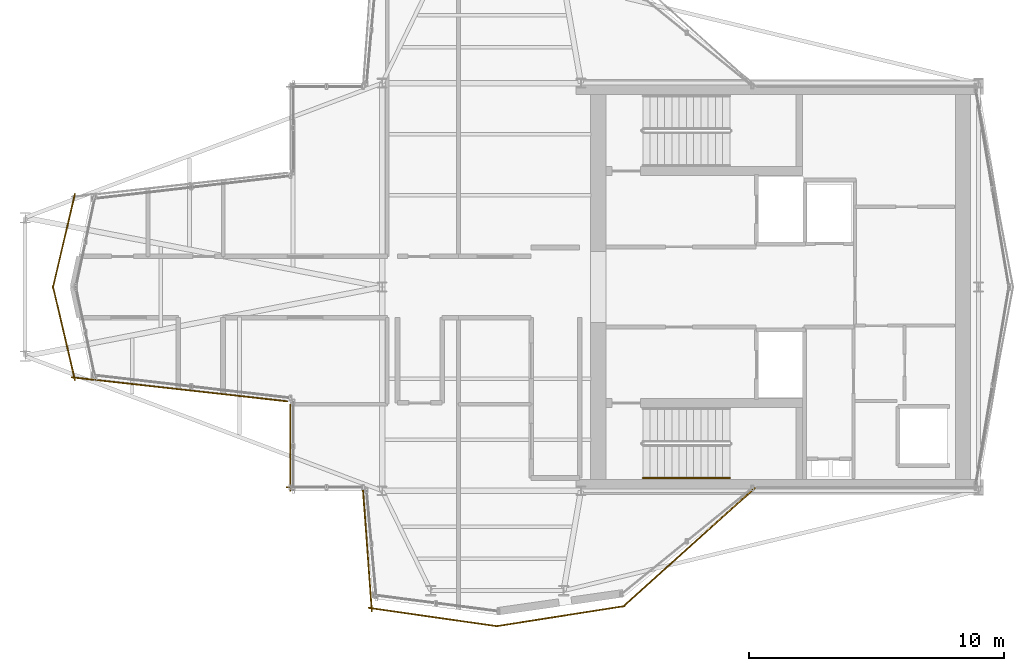
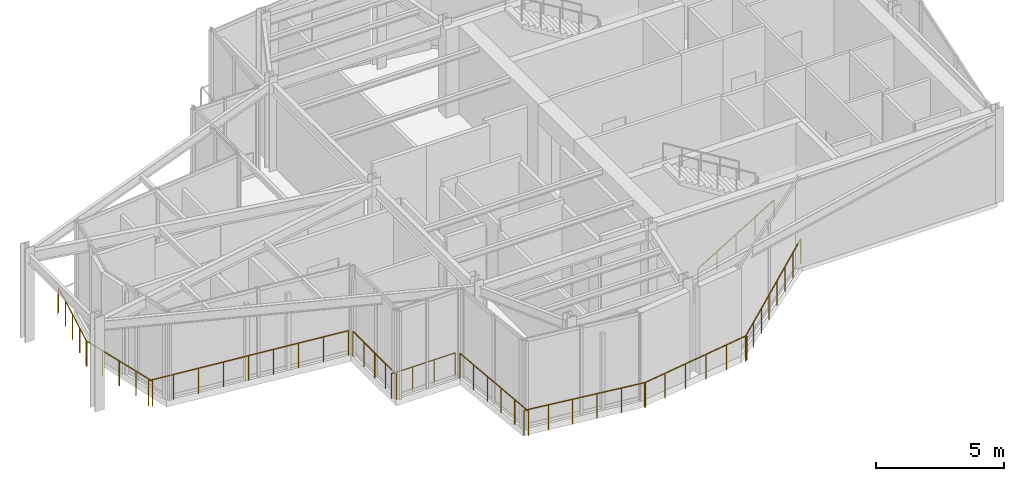
# One storey, part 10 of 14: 10 railings.
"""IFC4 building model written with IfcOpenShell, lengths in metres."""

from ifc_helpers import new_model, si_unit, direction, frame, origin, origin_2d, place, context, subcontext, project, spatial, circle, extrude, material, type_object, element, save


model = new_model("IFC4")

# Units and contexts
model_context = context("Model", 3, precision=1e-05, world=origin(), true_north=direction((0.0, 1.0)))
body_context = subcontext(model_context, "Body", "Model", "MODEL_VIEW")
ifc_project = project(units=[si_unit("LENGTHUNIT", "METRE"), si_unit("AREAUNIT", "SQUARE_METRE"), si_unit("VOLUMEUNIT", "CUBIC_METRE"), si_unit("PLANEANGLEUNIT", "RADIAN"), si_unit("MASSUNIT", "GRAM", prefix="KILO")], contexts=[model_context])

# Site, building, storey
site_placement = place(None, origin())
site = spatial("IfcSite", under=ifc_project, at=site_placement, CompositionType="ELEMENT")
building_placement = place(site_placement, origin())
building = spatial("IfcBuilding", under=site, at=building_placement, Name="Veymaron Broadcast Tower", CompositionType="ELEMENT")
storey_placement = place(building_placement, frame((0.0, 0.0, 332.39990234375)))
storey = spatial("IfcBuildingStorey", under=building, at=storey_placement, Name="L78", CompositionType="ELEMENT", Elevation=332.39990234375)

# Railings
ifc_material_1 = material(Name="Brushed stainless steel AISI 304", Category="steel")
railing_type_1 = type_object("IfcRailingType", Name="RAIL-STAIR-HR", PredefinedType="HANDRAIL", material=ifc_material_1)
railing_1_placement = place(storey_placement, frame((41.429931640625, 16.5, 0.173095703125)))
element("IfcRailing", 1, at=railing_1_placement, inside=storey, type_object=railing_type_1, Name="L78 ST2 stair handrail 1", PredefinedType="HANDRAIL", context=body_context, shape_type="SweptSolid", body=[
    extrude(circle(Radius=0.02392578125, at=origin_2d()), frame((0.0, 0.0, 0.8759765625), z_axis=(0.854745945586, 0.0, 0.519046595696), x_axis=(0.0, 1.0, 0.0)), (0.0, 0.0, 1.0), 4.00146484375),
    extrude(circle(Radius=0.02099609375, at=origin_2d()), origin(), (0.0, 0.0, 1.0), 0.851806640625),
    extrude(circle(Radius=0.02099609375, at=origin_2d()), frame((0.85498046875, 0.0, 0.519287109375)), (0.0, 0.0, 1.0), 0.851806640625),
    extrude(circle(Radius=0.02099609375, at=origin_2d()), frame((1.7099609375, 0.0, 1.03857421875)), (0.0, 0.0, 1.0), 0.851806640625),
    extrude(circle(Radius=0.02099609375, at=origin_2d()), frame((2.565185546875, 0.0, 1.5576171875)), (0.0, 0.0, 1.0), 0.851806640625),
    extrude(circle(Radius=0.02099609375, at=origin_2d()), frame((3.420166015625, 0.0, 2.076904296875)), (0.0, 0.0, 1.0), 0.851806640625),
])
ifc_material_2 = material(Name="Laminated structural sentry-glass and stainless steel AISI 316L", Category="steel")
railing_type_2 = type_object("IfcRailingType", Name="RAIL-TERR-1200", PredefinedType="GUARDRAIL", material=ifc_material_2)
railing_2_placement = place(storey_placement, frame((19.13623046875, 27.6533203125, 0.0)))
element("IfcRailing", 2, at=railing_2_placement, inside=storey, type_object=railing_type_2, Name="L78 crown perimeter guardrail 12", PredefinedType="GUARDRAIL", context=body_context, shape_type="SweptSolid", body=[
    extrude(circle(Radius=0.02392578125, at=origin_2d()), frame((0.0, 0.0, 1.17578125), z_axis=(-0.228259149092, -0.973600411286, 0.0), x_axis=(0.973600411286, -0.228259149092, 0.0)), (0.0, 0.0, 1.0), 3.78515625),
    extrude(circle(Radius=0.02099609375, at=origin_2d()), origin(), (0.0, 0.0, 1.0), 1.15185546875),
    extrude(circle(Radius=0.02099609375, at=origin_2d()), frame((-0.216064453125, -0.92138671875, 0.0)), (0.0, 0.0, 1.0), 1.15185546875),
    extrude(circle(Radius=0.02099609375, at=origin_2d()), frame((-0.43212890625, -1.8427734375, 0.0)), (0.0, 0.0, 1.0), 1.15185546875),
    extrude(circle(Radius=0.02099609375, at=origin_2d()), frame((-0.64794921875, -2.763916015625, 0.0)), (0.0, 0.0, 1.0), 1.15185546875),
    extrude(circle(Radius=0.02099609375, at=origin_2d()), frame((-0.864013671875, -3.685302734375, 0.0)), (0.0, 0.0, 1.0), 1.15185546875),
])
railing_3_placement = place(storey_placement, frame((18.272216796875, 24.031982421875, 0.0)))
element("IfcRailing", 3, at=railing_3_placement, inside=storey, type_object=railing_type_2, Name="L78 crown perimeter guardrail 13", PredefinedType="GUARDRAIL", context=body_context, shape_type="SweptSolid", body=[
    extrude(circle(Radius=0.02392578125, at=origin_2d()), frame((0.0, 0.0, 1.17578125), z_axis=(0.228259149092, -0.973600411286, 0.0), x_axis=(0.973600411286, 0.228259149092, 0.0)), (0.0, 0.0, 1.0), 3.78515625),
    extrude(circle(Radius=0.02099609375, at=origin_2d()), origin(), (0.0, 0.0, 1.0), 1.15185546875),
    extrude(circle(Radius=0.02099609375, at=origin_2d()), frame((0.216064453125, -0.92138671875, 0.0)), (0.0, 0.0, 1.0), 1.15185546875),
    extrude(circle(Radius=0.02099609375, at=origin_2d()), frame((0.43212890625, -1.8427734375, 0.0)), (0.0, 0.0, 1.0), 1.15185546875),
    extrude(circle(Radius=0.02099609375, at=origin_2d()), frame((0.64794921875, -2.763916015625, 0.0)), (0.0, 0.0, 1.0), 1.15185546875),
    extrude(circle(Radius=0.02099609375, at=origin_2d()), frame((0.864013671875, -3.685302734375, 0.0)), (0.0, 0.0, 1.0), 1.15185546875),
])
railing_4_placement = place(storey_placement, frame((19.015380859375, 20.45361328125, 0.0)))
element("IfcRailing", 4, at=railing_4_placement, inside=storey, type_object=railing_type_2, Name="L78 crown perimeter guardrail 14", PredefinedType="GUARDRAIL", context=body_context, shape_type="SweptSolid", body=[
    extrude(circle(Radius=0.02392578125, at=origin_2d()), frame((0.0, 0.0, 1.17578125), z_axis=(0.993854628338, -0.110693169309, 0.0), x_axis=(0.110693169309, 0.993854628338, 0.0)), (0.0, 0.0, 1.0), 8.500244140625),
    extrude(circle(Radius=0.02099609375, at=origin_2d()), origin(), (0.0, 0.0, 1.0), 1.15185546875),
    extrude(circle(Radius=0.02099609375, at=origin_2d()), frame((1.055908203125, -0.11767578125, 0.0)), (0.0, 0.0, 1.0), 1.15185546875),
    extrude(circle(Radius=0.02099609375, at=origin_2d()), frame((2.112060546875, -0.2353515625, 0.0)), (0.0, 0.0, 1.0), 1.15185546875),
    extrude(circle(Radius=0.02099609375, at=origin_2d()), frame((3.16796875, -0.352783203125, 0.0)), (0.0, 0.0, 1.0), 1.15185546875),
    extrude(circle(Radius=0.02099609375, at=origin_2d()), frame((4.22412109375, -0.470458984375, 0.0)), (0.0, 0.0, 1.0), 1.15185546875),
    extrude(circle(Radius=0.02099609375, at=origin_2d()), frame((5.280029296875, -0.588134765625, 0.0)), (0.0, 0.0, 1.0), 1.15185546875),
    extrude(circle(Radius=0.02099609375, at=origin_2d()), frame((6.3359375, -0.70556640625, 0.0)), (0.0, 0.0, 1.0), 1.15185546875),
    extrude(circle(Radius=0.02099609375, at=origin_2d()), frame((7.39208984375, -0.8232421875, 0.0)), (0.0, 0.0, 1.0), 1.15185546875),
    extrude(circle(Radius=0.02099609375, at=origin_2d()), frame((8.447998046875, -0.94091796875, 0.0)), (0.0, 0.0, 1.0), 1.15185546875),
])
railing_5_placement = place(storey_placement, frame((27.587890625, 19.37353515625, 0.0)))
element("IfcRailing", 5, at=railing_5_placement, inside=storey, type_object=railing_type_2, Name="L78 crown perimeter guardrail 15", PredefinedType="GUARDRAIL", context=body_context, shape_type="SweptSolid", body=[
    extrude(circle(Radius=0.02392578125, at=origin_2d()), frame((0.0, 0.0, 1.17578125), z_axis=(0.0, -1.0, 0.0), x_axis=(1.0, 0.0, 0.0)), (0.0, 0.0, 1.0), 3.37353515625),
    extrude(circle(Radius=0.02099609375, at=origin_2d()), origin(), (0.0, 0.0, 1.0), 1.15185546875),
    extrude(circle(Radius=0.02099609375, at=origin_2d()), frame((0.0, -0.84326171875, 0.0)), (0.0, 0.0, 1.0), 1.15185546875),
    extrude(circle(Radius=0.02099609375, at=origin_2d()), frame((0.0, -1.686767578125, 0.0)), (0.0, 0.0, 1.0), 1.15185546875),
    extrude(circle(Radius=0.02099609375, at=origin_2d()), frame((0.0, -2.5302734375, 0.0)), (0.0, 0.0, 1.0), 1.15185546875),
    extrude(circle(Radius=0.02099609375, at=origin_2d()), frame((0.0, -3.37353515625, 0.0)), (0.0, 0.0, 1.0), 1.15185546875),
])
railing_6_placement = place(storey_placement, frame((27.447998046875, 16.139892578125, 0.0)))
element("IfcRailing", 6, at=railing_6_placement, inside=storey, type_object=railing_type_2, Name="L78 crown perimeter guardrail 16", PredefinedType="GUARDRAIL", context=body_context, shape_type="SweptSolid", body=[
    extrude(circle(Radius=0.02392578125, at=origin_2d()), frame((0.0, 0.0, 1.17578125), z_axis=(1.0, 0.0, 0.0), x_axis=(0.0, 1.0, 0.0)), (0.0, 0.0, 1.0), 2.8583984375),
    extrude(circle(Radius=0.02099609375, at=origin_2d()), origin(), (0.0, 0.0, 1.0), 1.15185546875),
    extrude(circle(Radius=0.02099609375, at=origin_2d()), frame((0.952880859375, 0.0, 0.0)), (0.0, 0.0, 1.0), 1.15185546875),
    extrude(circle(Radius=0.02099609375, at=origin_2d()), frame((1.905517578125, 0.0, 0.0)), (0.0, 0.0, 1.0), 1.15185546875),
    extrude(circle(Radius=0.02099609375, at=origin_2d()), frame((2.8583984375, 0.0, 0.0)), (0.0, 0.0, 1.0), 1.15185546875),
])
railing_7_placement = place(storey_placement, frame((30.446044921875, 16.01025390625, 0.0)))
element("IfcRailing", 7, at=railing_7_placement, inside=storey, type_object=railing_type_2, Name="L78 crown perimeter guardrail 17", PredefinedType="GUARDRAIL", context=body_context, shape_type="SweptSolid", body=[
    extrude(circle(Radius=0.02392578125, at=origin_2d()), frame((0.0, 0.0, 1.17578125), z_axis=(0.072953187508, -0.997335366079, 0.0), x_axis=(0.997335366079, 0.072953187508, 0.0)), (0.0, 0.0, 1.0), 4.748779296875),
    extrude(circle(Radius=0.02099609375, at=origin_2d()), origin(), (0.0, 0.0, 1.0), 1.15185546875),
    extrude(circle(Radius=0.02099609375, at=origin_2d()), frame((0.0693359375, -0.947265625, 0.0)), (0.0, 0.0, 1.0), 1.15185546875),
    extrude(circle(Radius=0.02099609375, at=origin_2d()), frame((0.138671875, -1.89453125, 0.0)), (0.0, 0.0, 1.0), 1.15185546875),
    extrude(circle(Radius=0.02099609375, at=origin_2d()), frame((0.207763671875, -2.841552734375, 0.0)), (0.0, 0.0, 1.0), 1.15185546875),
    extrude(circle(Radius=0.02099609375, at=origin_2d()), frame((0.277099609375, -3.788818359375, 0.0)), (0.0, 0.0, 1.0), 1.15185546875),
    extrude(circle(Radius=0.02099609375, at=origin_2d()), frame((0.346435546875, -4.736083984375, 0.0)), (0.0, 0.0, 1.0), 1.15185546875),
])
railing_8_placement = place(storey_placement, frame((30.672607421875, 11.402587890625, 0.0)))
element("IfcRailing", 8, at=railing_8_placement, inside=storey, type_object=railing_type_2, Name="L78 crown perimeter guardrail 18", PredefinedType="GUARDRAIL", context=body_context, shape_type="SweptSolid", body=[
    extrude(circle(Radius=0.02392578125, at=origin_2d()), frame((0.0, 0.0, 1.17578125), z_axis=(0.989962907882, -0.141327424861, 0.0), x_axis=(0.141327424861, 0.989962907882, 0.0)), (0.0, 0.0, 1.0), 5.09423828125),
    extrude(circle(Radius=0.02099609375, at=origin_2d()), origin(), (0.0, 0.0, 1.0), 1.15185546875),
    extrude(circle(Radius=0.02099609375, at=origin_2d()), frame((1.008544921875, -0.14404296875, 0.0)), (0.0, 0.0, 1.0), 1.15185546875),
    extrude(circle(Radius=0.02099609375, at=origin_2d()), frame((2.017333984375, -0.2880859375, 0.0)), (0.0, 0.0, 1.0), 1.15185546875),
    extrude(circle(Radius=0.02099609375, at=origin_2d()), frame((3.02587890625, -0.431884765625, 0.0)), (0.0, 0.0, 1.0), 1.15185546875),
    extrude(circle(Radius=0.02099609375, at=origin_2d()), frame((4.03466796875, -0.575927734375, 0.0)), (0.0, 0.0, 1.0), 1.15185546875),
    extrude(circle(Radius=0.02099609375, at=origin_2d()), frame((5.043212890625, -0.719970703125, 0.0)), (0.0, 0.0, 1.0), 1.15185546875),
])
railing_9_placement = place(storey_placement, frame((35.67431640625, 10.682373046875, 0.0)))
element("IfcRailing", 9, at=railing_9_placement, inside=storey, type_object=railing_type_2, Name="L78 crown perimeter guardrail 19", PredefinedType="GUARDRAIL", context=body_context, shape_type="SweptSolid", body=[
    extrude(circle(Radius=0.02392578125, at=origin_2d()), frame((0.0, 0.0, 1.17578125), z_axis=(0.987892522015, 0.155139823857, 0.0), x_axis=(-0.155139823857, 0.987892522015, 0.0)), (0.0, 0.0, 1.0), 5.10498046875),
    extrude(circle(Radius=0.02099609375, at=origin_2d()), origin(), (0.0, 0.0, 1.0), 1.15185546875),
    extrude(circle(Radius=0.02099609375, at=origin_2d()), frame((1.008544921875, 0.158447265625, 0.0)), (0.0, 0.0, 1.0), 1.15185546875),
    extrude(circle(Radius=0.02099609375, at=origin_2d()), frame((2.017333984375, 0.31689453125, 0.0)), (0.0, 0.0, 1.0), 1.15185546875),
    extrude(circle(Radius=0.02099609375, at=origin_2d()), frame((3.02587890625, 0.47509765625, 0.0)), (0.0, 0.0, 1.0), 1.15185546875),
    extrude(circle(Radius=0.02099609375, at=origin_2d()), frame((4.03466796875, 0.633544921875, 0.0)), (0.0, 0.0, 1.0), 1.15185546875),
    extrude(circle(Radius=0.02099609375, at=origin_2d()), frame((5.043212890625, 0.7919921875, 0.0)), (0.0, 0.0, 1.0), 1.15185546875),
])
railing_10_placement = place(storey_placement, frame((40.6455078125, 11.43994140625, 0.0)))
element("IfcRailing", 10, at=railing_10_placement, inside=storey, type_object=railing_type_2, Name="L78 crown perimeter guardrail 20", PredefinedType="GUARDRAIL", context=body_context, shape_type="SweptSolid", body=[
    extrude(circle(Radius=0.02392578125, at=origin_2d()), frame((0.0, 0.0, 1.17578125), z_axis=(0.742718734557, 0.669603525482, 0.0), x_axis=(-0.669603525482, 0.742718734557, 0.0)), (0.0, 0.0, 1.0), 6.96533203125),
    extrude(circle(Radius=0.02099609375, at=origin_2d()), origin(), (0.0, 0.0, 1.0), 1.15185546875),
    extrude(circle(Radius=0.02099609375, at=origin_2d()), frame((0.739013671875, 0.666259765625, 0.0)), (0.0, 0.0, 1.0), 1.15185546875),
    extrude(circle(Radius=0.02099609375, at=origin_2d()), frame((1.47802734375, 1.33251953125, 0.0)), (0.0, 0.0, 1.0), 1.15185546875),
    extrude(circle(Radius=0.02099609375, at=origin_2d()), frame((2.217041015625, 1.998779296875, 0.0)), (0.0, 0.0, 1.0), 1.15185546875),
    extrude(circle(Radius=0.02099609375, at=origin_2d()), frame((2.956298828125, 2.665283203125, 0.0)), (0.0, 0.0, 1.0), 1.15185546875),
    extrude(circle(Radius=0.02099609375, at=origin_2d()), frame((3.6953125, 3.33154296875, 0.0)), (0.0, 0.0, 1.0), 1.15185546875),
    extrude(circle(Radius=0.02099609375, at=origin_2d()), frame((4.434326171875, 3.997802734375, 0.0)), (0.0, 0.0, 1.0), 1.15185546875),
    extrude(circle(Radius=0.02099609375, at=origin_2d()), frame((5.17333984375, 4.6640625, 0.0)), (0.0, 0.0, 1.0), 1.15185546875),
])

save(model, "model.ifc")
